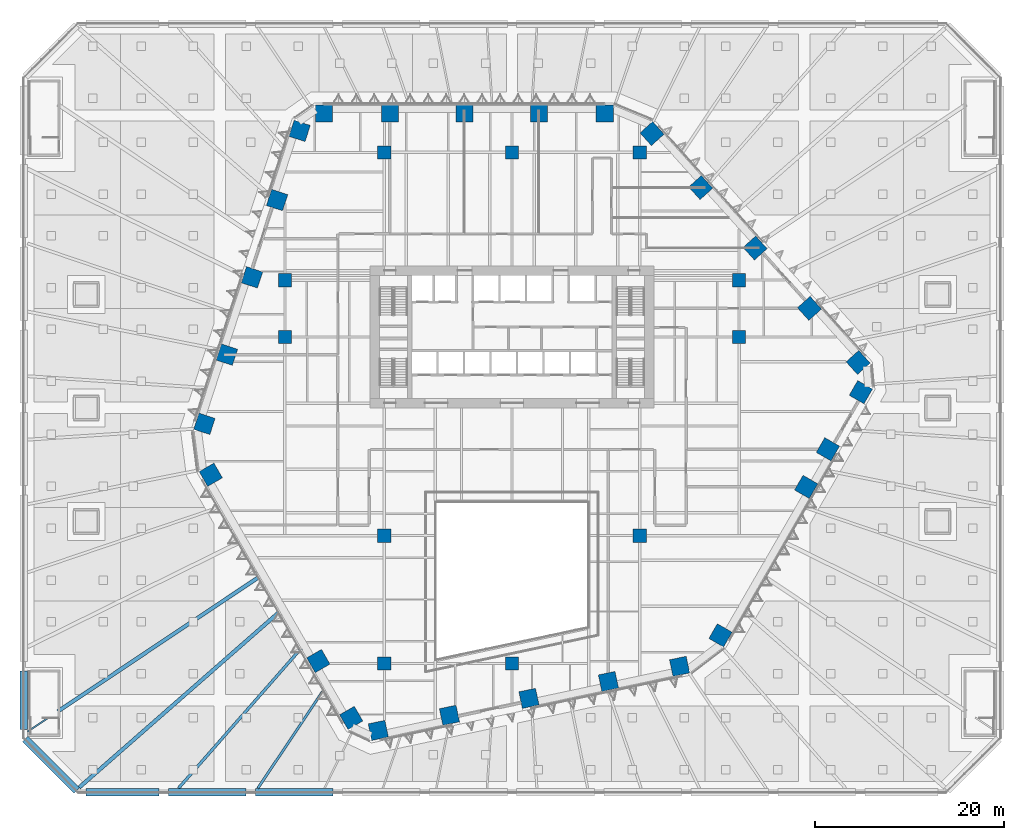
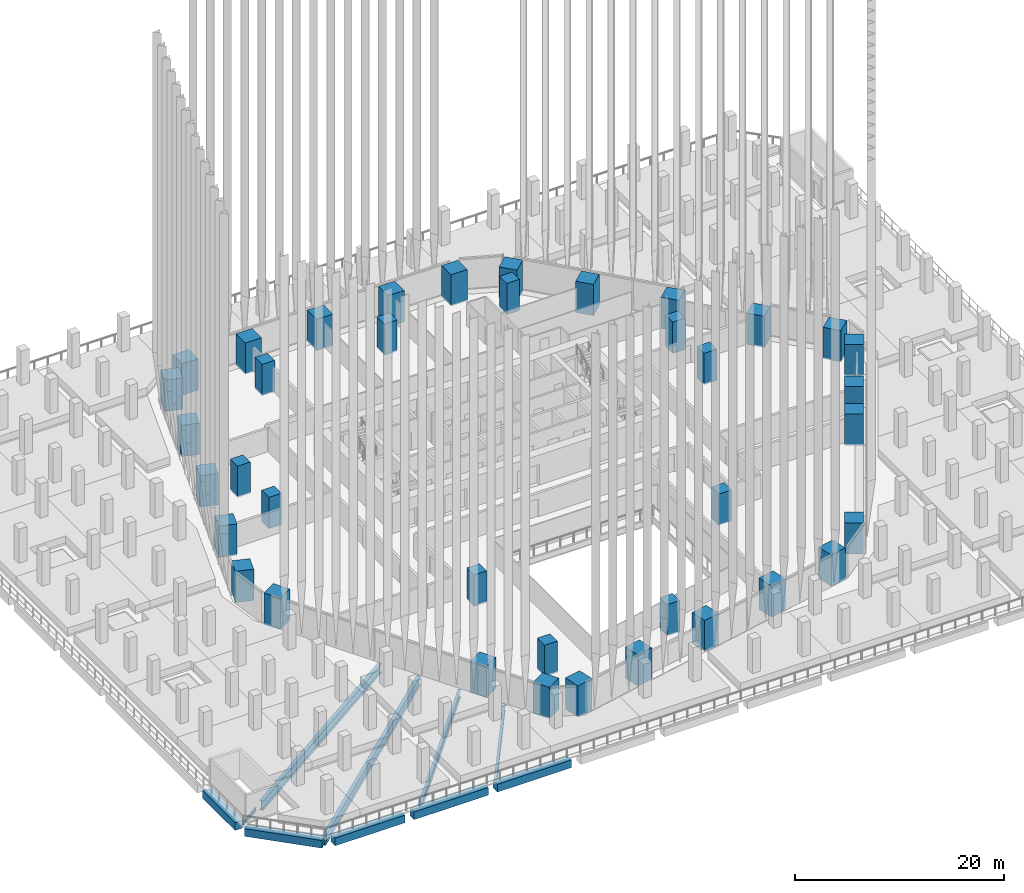
# One storey, part 1 of 51: 38 columns, 10 beams.
"""IFC4 building model written with IfcOpenShell, lengths in metres."""

import ifcopenshell
import ifcopenshell.guid

model = None  # the IFC model being written
_history = None  # IfcOwnerHistory: only IFC2X3 demands one
_inside = {}  # id of a spatial element -> (the spatial element, [elements in it])
_under = {}  # id of a project, library or spatial element -> (it, [spatial elements below it])
_declared = {}  # id of a project -> (the project, [libraries it declares])
_typed = {}  # id of a type object -> (the type object, [elements of that type])
_made_of = {}  # id of a material, layer set ... -> (it, [elements and type objects made of it])


def new_model(schema):
    """Start an empty IFC model of exactly this schema.

    Asked for "IFC4X3", IfcOpenShell would pick the latest addendum, in which some entities
    have other attributes; the version numbers below select the first issue.
    IFC2X3 requires an IfcOwnerHistory on every rooted entity: one is made here for all.
    """
    global model, _history
    if schema == "IFC4X3":
        model = ifcopenshell.file(schema_version=(4, 3, 0, 0))
    else:
        model = ifcopenshell.file(schema=schema)
    _inside.clear()
    _under.clear()
    _declared.clear()
    _typed.clear()
    _made_of.clear()
    _history = None
    if model.schema == "IFC2X3":
        org = make("IfcOrganization", Name="unknown")
        user = make(
            "IfcPersonAndOrganization",
            ThePerson=make("IfcPerson", FamilyName="unknown"),
            TheOrganization=org,
        )
        app = make(
            "IfcApplication",
            ApplicationDeveloper=org,
            Version="unknown",
            ApplicationFullName="unknown",
            ApplicationIdentifier="unknown",
        )
        _history = make(
            "IfcOwnerHistory",
            OwningUser=user,
            OwningApplication=app,
            ChangeAction="ADDED",
            CreationDate=0,
        )
    return model


def make(cls, **values):
    """One entity of the class cls with the attributes given. An attribute that is None is left unset."""
    return model.create_entity(
        cls, **{name: value for name, value in values.items() if value is not None}
    )


def rooted(cls, **values):
    """An entity with a GlobalId (a new one), such as an element, a storey or a relation."""
    return make(cls, GlobalId=ifcopenshell.guid.new(), OwnerHistory=_history, **values)


def si_unit(unit_type, name, prefix=None):
    """IfcSIUnit, for example si_unit("LENGTHUNIT", "METRE", prefix="MILLI")."""
    return make("IfcSIUnit", UnitType=unit_type, Prefix=prefix, Name=name)


def assignment(units):
    """IfcUnitAssignment: the units of a project."""
    return None if units is None else make("IfcUnitAssignment", Units=units)


def point(xyz):
    """IfcCartesianPoint."""
    return None if xyz is None else make("IfcCartesianPoint", Coordinates=xyz)


def direction(xyz):
    """IfcDirection."""
    return None if xyz is None else make("IfcDirection", DirectionRatios=xyz)


def frame(location, z_axis=None, x_axis=None):
    """IfcAxis2Placement3D, a coordinate frame: its origin and axes. An axis left out is left unset."""
    return make(
        "IfcAxis2Placement3D",
        Location=point(location),
        Axis=direction(z_axis),
        RefDirection=direction(x_axis),
    )


def frame_2d(location, x_axis=None):
    """IfcAxis2Placement2D, a coordinate frame in the plane: its origin and x axis."""
    return make(
        "IfcAxis2Placement2D", Location=point(location), RefDirection=direction(x_axis)
    )


def origin():
    """The frame at (0, 0, 0) with its axes left unset."""
    return frame((0.0, 0.0, 0.0))


def origin_2d():
    """The frame at (0, 0) in the plane with its x axis left unset."""
    return frame_2d((0.0, 0.0))


def place(relative_to, where):
    """IfcLocalPlacement: puts the frame where relative to a parent placement (None: the world)."""
    return make(
        "IfcLocalPlacement", PlacementRelTo=relative_to, RelativePlacement=where
    )


def context(
    kind, dimensions, precision=None, world=None, true_north=None, identifier=None
):
    """IfcGeometricRepresentationContext, for example the 3D "Model" context."""
    return make(
        "IfcGeometricRepresentationContext",
        ContextIdentifier=identifier,
        ContextType=kind,
        CoordinateSpaceDimension=dimensions,
        Precision=precision,
        WorldCoordinateSystem=world,
        TrueNorth=true_north,
    )


def subcontext(parent, identifier, kind, view, scale=None):
    """IfcGeometricRepresentationSubContext, for example "Body" below "Model"."""
    return make(
        "IfcGeometricRepresentationSubContext",
        ContextIdentifier=identifier,
        ContextType=kind,
        ParentContext=parent,
        TargetScale=scale,
        TargetView=view,
    )


def project(units=None, contexts=None):
    """IfcProject with its units and contexts."""
    return rooted(
        "IfcProject",
        Name="project",
        RepresentationContexts=contexts,
        UnitsInContext=assignment(units),
    )


def spatial(cls, under=None, at=None, **own):
    """A site, building, storey or space (cls), placed at a placement, below another one or the project."""
    s = rooted(cls, ObjectPlacement=at, **own)
    if under is not None:
        _under.setdefault(under.id(), (under, []))[1].append(s)
    return s


def profile(cls, at=None, kind="AREA", **sizes):
    """A parametric profile (cls). Its sizes go by their IFC names, for example OverallWidth=200.0."""
    return make(cls, ProfileType=kind, Position=at, **sizes)


def rectangle(**sizes):
    """IfcRectangleProfileDef."""
    return profile("IfcRectangleProfileDef", **sizes)


def i_section(**sizes):
    """IfcIShapeProfileDef."""
    return profile("IfcIShapeProfileDef", **sizes)


def extrude(swept, where, along, depth):
    """IfcExtrudedAreaSolid: the profile swept, set in the frame where, extruded along a direction by depth."""
    return make(
        "IfcExtrudedAreaSolid",
        SweptArea=swept,
        Position=where,
        ExtrudedDirection=direction(along),
        Depth=depth,
    )


def shape(context_of_items, identifier, shape_type, items):
    """IfcShapeRepresentation: the items that make up one representation, for example the "Body"."""
    return make(
        "IfcShapeRepresentation",
        ContextOfItems=context_of_items,
        RepresentationIdentifier=identifier,
        RepresentationType=shape_type,
        Items=items,
    )


def material(Name=None, Category=None):
    """IfcMaterial."""
    return make("IfcMaterial", Name=Name, Category=Category)


def material_profile(
    of_material, cross_section, Name=None, Category=None, Priority=None
):
    """IfcMaterialProfile: a cross section and its material."""
    return make(
        "IfcMaterialProfile",
        Name=Name,
        Material=of_material,
        Profile=cross_section,
        Priority=Priority,
        Category=Category,
    )


def profile_set(profiles, Name=None, composite=None):
    """IfcMaterialProfileSet."""
    return make(
        "IfcMaterialProfileSet",
        Name=Name,
        MaterialProfiles=profiles,
        CompositeProfile=composite,
    )


def made_of(thing, what):
    """Note that an element or type object is made of a material, layer set ...; save() writes the relation."""
    if what is not None:
        _made_of.setdefault(what.id(), (what, []))[1].append(thing)
    return thing


def type_object(cls, material=None, **own):
    """A type object (cls), such as IfcWallType, which elements share."""
    return made_of(rooted(cls, **own), material)


def element(
    cls,
    number,
    at=None,
    inside=None,
    cuts=None,
    type_object=None,
    material=None,
    context=None,
    identifier="Body",
    shape_type=None,
    held_by="IfcProductDefinitionShape",
    body=None,
    shapes=None,
    **own,
):
    """One element of the class cls, such as IfcWall. Its Tag is "e" and its number.

    at: its placement. inside: the storey or other place that contains it. cuts: it is an
    opening in that element (IfcRelVoidsElement). A single representation is given by context,
    identifier, shape_type and body (its items); several are given by shapes. held_by: the class
    of the entity that holds the representations. save() writes the other relations.
    """
    e = rooted(cls, Tag="e%d" % number, ObjectPlacement=at, **own)
    if body is not None:
        shapes = [shape(context, identifier, shape_type, body)]
    if shapes is not None:
        e.Representation = make(held_by, Representations=shapes)
    if inside is not None:
        _inside.setdefault(inside.id(), (inside, []))[1].append(e)
    if cuts is not None:
        rooted(
            "IfcRelVoidsElement", RelatingBuildingElement=cuts, RelatedOpeningElement=e
        )
    if type_object is not None:
        _typed.setdefault(type_object.id(), (type_object, []))[1].append(e)
    return made_of(e, material)


def aggregate(whole, parts):
    """IfcRelAggregates: a whole, such as a stair, and the parts it consists of."""
    return rooted("IfcRelAggregates", RelatingObject=whole, RelatedObjects=parts)


def save(model, path):
    """Write the relations noted so far, then the file.

    IfcRelAggregates (storeys below a building ...), IfcRelContainedInSpatialStructure (elements
    in a storey), IfcRelDefinesByType, IfcRelAssociatesMaterial and IfcRelDeclares: one each for
    every whole, place, type object, material and project.
    """
    for whole, parts in _under.values():
        aggregate(whole, parts)
    for where, things in _inside.values():
        rooted(
            "IfcRelContainedInSpatialStructure",
            RelatedElements=things,
            RelatingStructure=where,
        )
    for kind, things in _typed.values():
        rooted("IfcRelDefinesByType", RelatedObjects=things, RelatingType=kind)
    for what, things in _made_of.values():
        rooted("IfcRelAssociatesMaterial", RelatedObjects=things, RelatingMaterial=what)
    for by, libraries in _declared.values():
        rooted("IfcRelDeclares", RelatingContext=by, RelatedDefinitions=libraries)
    model.write(path)


model = new_model("IFC4")

# Units and contexts
model_context = context("Model", 3, precision=1e-05, world=origin(), true_north=direction((0.0, 1.0)))
body_context = subcontext(model_context, "Body", "Model", "MODEL_VIEW")
ifc_project = project(units=[si_unit("LENGTHUNIT", "METRE"), si_unit("AREAUNIT", "SQUARE_METRE"), si_unit("VOLUMEUNIT", "CUBIC_METRE"), si_unit("PLANEANGLEUNIT", "RADIAN"), si_unit("MASSUNIT", "GRAM", prefix="KILO")], contexts=[model_context])

# Site, building, storey
site_placement = place(None, origin())
site = spatial("IfcSite", under=ifc_project, at=site_placement, CompositionType="ELEMENT")
building_placement = place(site_placement, origin())
building = spatial("IfcBuilding", under=site, at=building_placement, Name="Isthmus Gate Tower", CompositionType="ELEMENT")
storey_placement = place(building_placement, frame((0.0, 0.0, 36.0)))
storey = spatial("IfcBuildingStorey", under=building, at=storey_placement, Name="L06", CompositionType="ELEMENT", Elevation=36.0)

# Columns
ifc_material_1 = material(Name="Concrete f'c 70 MPa", Category="concrete")
ifc_material_profile_1 = material_profile(ifc_material_1, rectangle(XDim=1.39990234375, YDim=1.39990234375, at=origin_2d()), Name="RC 1400X1400")
ifc_profile_set_1 = profile_set([ifc_material_profile_1], Name="Concrete f'c 70 MPa")
column_type_1 = type_object("IfcColumnType", Name="RC INTERIOR COLUMN 1400 X 1400", PredefinedType="COLUMN", material=ifc_profile_set_1)
for number, where, z_axis, x_axis, name in (
    (1, (-24.0, 7.5, -0.14990234375), (0.0, 0.0, 1.0), (1.0, 0.0, 0.0), "str-icol-L06-ICA3"),
    (2, (-24.0, 13.5, -0.14990234375), (0.0, 0.0, 1.0), (1.0, 0.0, 0.0), "str-icol-L06-ICA4"),
    (3, (-13.5, -27.0, -0.14990234375), (0.0, 0.0, 1.0), (1.0, 0.0, 0.0), "str-icol-L06-ICB1"),
    (4, (-13.5, -13.5, -0.14990234375), (0.0, 0.0, 1.0), (1.0, 0.0, 0.0), "str-icol-L06-ICB2"),
    (5, (-13.5, 27.0, -0.14990234375), (0.0, 0.0, 1.0), (1.0, 0.0, 0.0), "str-icol-L06-ICB5"),
    (6, (0.0, -27.0, -0.14990234375), (0.0, 0.0, 1.0), (1.0, 0.0, 0.0), "str-icol-L06-ICC1"),
    (7, (0.0, 27.0, -0.14990234375), (0.0, 0.0, 1.0), (1.0, 0.0, 0.0), "str-icol-L06-ICC5"),
    (8, (13.5, -13.5, -0.14990234375), (0.0, 0.0, 1.0), (1.0, 0.0, 0.0), "str-icol-L06-ICD2"),
    (9, (13.5, 27.0, -0.14990234375), (0.0, 0.0, 1.0), (1.0, 0.0, 0.0), "str-icol-L06-ICD5"),
    (10, (24.0, 7.5, -0.14990234375), (0.0, 0.0, 1.0), (1.0, 0.0, 0.0), "str-icol-L06-ICE3"),
    (11, (24.0, 13.5, -0.14990234375), (0.0, 0.0, 1.0), (1.0, 0.0, 0.0), "str-icol-L06-ICE4"),
):
    element("IfcColumn", number, at=place(storey_placement, frame(where, z_axis=z_axis, x_axis=x_axis)), inside=storey, type_object=column_type_1, Name=name, PredefinedType="COLUMN", context=body_context, shape_type="SweptSolid", body=[
        extrude(rectangle(XDim=1.39990234375, YDim=1.39990234375, at=origin_2d()), origin(), (0.0, 0.0, 1.0), 3.64990234375),
    ])
ifc_material_2 = material(Name="Concrete f'c 70 MPa", Category="concrete")
ifc_material_profile_2 = material_profile(ifc_material_2, rectangle(XDim=1.800048828125, YDim=1.800048828125, at=origin_2d()), Name="RC 1800X1800")
ifc_profile_set_2 = profile_set([ifc_material_profile_2], Name="Concrete f'c 70 MPa")
column_type_2 = type_object("IfcColumnType", Name="RC TUBE COLUMN 1800 X 1800", PredefinedType="COLUMN", material=ifc_profile_set_2)
for number, where, z_axis, x_axis, name in (
    (12, (9.8017578125, 31.10009765625, -0.14990234375), (0.0, 0.0, 1.0), (-1.0, 0.0, 0.0), "str-tcol-L06-T1N0"),
    (13, (2.832275390625, 31.10009765625, -0.14990234375), (0.0, 0.0, 1.0), (-1.0, 0.0, 0.0), "str-tcol-L06-T1N1"),
    (14, (-5.037109375, 31.10009765625, -0.14990234375), (0.0, 0.0, 1.0), (-1.0, 0.0, 0.0), "str-tcol-L06-T1N2"),
    (15, (-12.90673828125, 31.10009765625, -0.14990234375), (0.0, 0.0, 1.0), (-1.0, 0.0, 0.0), "str-tcol-L06-T1N3"),
    (16, (-19.876220703125, 31.10009765625, -0.14990234375), (0.0, 0.0, 1.0), (-1.0, 0.0, 0.0), "str-tcol-L06-T1N4"),
    (17, (-22.451171875, 29.281005859375, -0.14990234375), (0.0, 0.0, 1.0), (-0.309016994375, -0.951056516295, 0.0), "str-tcol-L06-T1NW0"),
    (18, (-24.827392578125, 21.9677734375, -0.14990234375), (0.0, 0.0, 1.0), (-0.309016994375, -0.951056516295, 0.0), "str-tcol-L06-T1NW1"),
    (19, (-27.481689453125, 13.798828125, -0.14990234375), (0.0, 0.0, 1.0), (-0.309016994375, -0.951056516295, 0.0), "str-tcol-L06-T1NW2"),
    (20, (-30.135986328125, 5.6298828125, -0.14990234375), (0.0, 0.0, 1.0), (-0.309016994375, -0.951056516295, 0.0), "str-tcol-L06-T1NW3"),
    (21, (-32.511962890625, -1.68310546875, -0.14990234375), (0.0, 0.0, 1.0), (-0.309016994375, -0.951056516295, 0.0), "str-tcol-L06-T1NW4"),
    (22, (-31.834228515625, -7.061279296875, -0.14990234375), (0.0, 0.0, 1.0), (0.5, -0.866025403784, 0.0), "str-tcol-L06-T1SW0"),
    (23, (-20.467041015625, -26.75, -0.14990234375), (0.0, 0.0, 1.0), (0.5, -0.866025403784, 0.0), "str-tcol-L06-T1SW2"),
    (24, (-16.995361328125, -32.763427734375, -0.14990234375), (0.0, 0.0, 1.0), (0.5, -0.866025403784, 0.0), "str-tcol-L06-T1SW3"),
    (25, (-14.13232421875, -34.083740234375, -0.14990234375), (0.0, 0.0, 1.0), (0.978147600734, 0.207911690818, 0.0), "str-tcol-L06-T1S0"),
    (26, (-6.611083984375, -32.485107421875, -0.14990234375), (0.0, 0.0, 1.0), (0.978147600734, 0.207911690818, 0.0), "str-tcol-L06-T1S1"),
    (27, (1.79052734375, -30.69921875, -0.14990234375), (0.0, 0.0, 1.0), (0.978147600734, 0.207911690818, 0.0), "str-tcol-L06-T1S2"),
    (28, (10.192138671875, -28.91357421875, -0.14990234375), (0.0, 0.0, 1.0), (0.978147600734, 0.207911690818, 0.0), "str-tcol-L06-T1S3"),
    (29, (17.713623046875, -27.314697265625, -0.14990234375), (0.0, 0.0, 1.0), (0.978147600734, 0.207911690818, 0.0), "str-tcol-L06-T1S4"),
    (30, (22.032470703125, -24.03857421875, -0.14990234375), (0.0, 0.0, 1.0), (0.5, 0.866025403784, 0.0), "str-tcol-L06-T1SE0"),
    (31, (31.09033203125, -8.35009765625, -0.14990234375), (0.0, 0.0, 1.0), (0.5, 0.866025403784, 0.0), "str-tcol-L06-T1SE1"),
    (32, (33.38671875, -4.37255859375, -0.14990234375), (0.0, 0.0, 1.0), (0.5, 0.866025403784, 0.0), "str-tcol-L06-T1SE2"),
    (33, (36.87158203125, 1.663330078125, -0.14990234375), (0.0, 0.0, 1.0), (0.5, 0.866025403784, 0.0), "str-tcol-L06-T1SE3"),
    (34, (36.583740234375, 4.802978515625, -0.14990234375), (0.0, 0.0, 1.0), (-0.669130606359, 0.743144825477, 0.0), "str-tcol-L06-T1NE0"),
    (35, (31.4384765625, 10.517333984375, -0.14990234375), (0.0, 0.0, 1.0), (-0.669130606359, 0.743144825477, 0.0), "str-tcol-L06-T1NE1"),
    (36, (25.691162109375, 16.900390625, -0.14990234375), (0.0, 0.0, 1.0), (-0.669130606359, 0.743144825477, 0.0), "str-tcol-L06-T1NE2"),
    (37, (19.943603515625, 23.283447265625, -0.14990234375), (0.0, 0.0, 1.0), (-0.669130606359, 0.743144825477, 0.0), "str-tcol-L06-T1NE3"),
    (38, (14.798583984375, 28.997802734375, -0.14990234375), (0.0, 0.0, 1.0), (-0.669130606359, 0.743144825477, 0.0), "str-tcol-L06-T1NE4"),
):
    element("IfcColumn", number, at=place(storey_placement, frame(where, z_axis=z_axis, x_axis=x_axis)), inside=storey, type_object=column_type_2, Name=name, PredefinedType="COLUMN", context=body_context, shape_type="SweptSolid", body=[
        extrude(rectangle(XDim=1.800048828125, YDim=1.800048828125, at=origin_2d()), origin(), (0.0, 0.0, 1.0), 3.64990234375),
    ])

# Beams
ifc_material_3 = material(Name="Concrete f'c 70 MPa", Category="concrete")
ifc_material_profile_3 = material_profile(ifc_material_3, rectangle(XDim=0.800048828125, YDim=0.89990234375, at=origin_2d()), Name="RC 800X900")
ifc_profile_set_3 = profile_set([ifc_material_profile_3], Name="Concrete f'c 70 MPa")
beam_type_1 = type_object("IfcBeamType", Name="RC EDGE BEAM 800 X 900", PredefinedType="BEAM", material=ifc_profile_set_3)
beam_1_placement = place(storey_placement, frame((-46.0, -40.434326171875, -0.60009765625), z_axis=(-0.707106781187, 0.707106781187, 0.0), x_axis=(-0.707106781187, -0.707106781187, 0.0)))
element("IfcBeam", 39, at=beam_1_placement, inside=storey, type_object=beam_type_1, Name="str-edgebeam-L06-00", PredefinedType="BEAM", context=body_context, shape_type="SweptSolid", body=[
    extrude(rectangle(XDim=0.800048828125, YDim=0.89990234375, at=origin_2d()), origin(), (0.0, 0.0, 1.0), 7.685302734375),
])
beam_2_placement = place(storey_placement, frame((-51.60009765625, -34.0, -0.60009765625), z_axis=(0.0, 1.0, 0.0), x_axis=(-1.0, 0.0, 0.0)))
element("IfcBeam", 40, at=beam_2_placement, inside=storey, type_object=beam_type_1, Name="str-edgebeam-L06-01", PredefinedType="BEAM", context=body_context, shape_type="SweptSolid", body=[
    extrude(rectangle(XDim=0.800048828125, YDim=0.89990234375, at=origin_2d()), origin(), (0.0, 0.0, 1.0), 6.199951171875),
])
beam_3_placement = place(storey_placement, frame((-18.89990234375, -40.60009765625, -0.60009765625), z_axis=(-1.0, 0.0, 0.0), x_axis=(0.0, -1.0, 0.0)))
element("IfcBeam", 41, at=beam_3_placement, inside=storey, type_object=beam_type_1, Name="str-edgebeam-L06-35", PredefinedType="BEAM", context=body_context, shape_type="SweptSolid", body=[
    extrude(rectangle(XDim=0.800048828125, YDim=0.89990234375, at=origin_2d()), origin(), (0.0, 0.0, 1.0), 8.2001953125),
])
beam_4_placement = place(storey_placement, frame((-28.10009765625, -40.60009765625, -0.60009765625), z_axis=(-1.0, 0.0, 0.0), x_axis=(0.0, -1.0, 0.0)))
element("IfcBeam", 42, at=beam_4_placement, inside=storey, type_object=beam_type_1, Name="str-edgebeam-L06-36", PredefinedType="BEAM", context=body_context, shape_type="SweptSolid", body=[
    extrude(rectangle(XDim=0.800048828125, YDim=0.89990234375, at=origin_2d()), origin(), (0.0, 0.0, 1.0), 8.199951171875),
])
beam_5_placement = place(storey_placement, frame((-37.300048828125, -40.60009765625, -0.60009765625), z_axis=(-1.0, 0.0, 0.0), x_axis=(0.0, -1.0, 0.0)))
element("IfcBeam", 43, at=beam_5_placement, inside=storey, type_object=beam_type_1, Name="str-edgebeam-L06-37", PredefinedType="BEAM", context=body_context, shape_type="SweptSolid", body=[
    extrude(rectangle(XDim=0.800048828125, YDim=0.89990234375, at=origin_2d()), origin(), (0.0, 0.0, 1.0), 7.699951171875),
])
ifc_material_4 = material(Name="Structural steel ASTM A992 Gr 50", Category="steel")
ifc_material_profile_4 = material_profile(ifc_material_4, i_section(OverallWidth=0.1396484375, OverallDepth=0.4033203125, WebThickness=0.00634765625, FlangeThickness=0.010986328125, at=origin_2d()), Name="W16X31")
ifc_profile_set_4 = profile_set([ifc_material_profile_4], Name="Structural steel ASTM A992 Gr 50")
beam_type_2 = type_object("IfcBeamType", Name="STEEL LEDGE BEAM W16X31", PredefinedType="JOIST", material=ifc_profile_set_4)
beam_6_placement = place(storey_placement, frame((-48.976318359375, -32.72509765625, -0.3515625), z_axis=(-0.831502127043, -0.555521568188, 0.0), x_axis=(0.555521568188, -0.831502127043, 0.0)))
element("IfcBeam", 44, at=beam_6_placement, inside=storey, type_object=beam_type_2, Name="str-ringbeam-L06-00-29", PredefinedType="JOIST", context=body_context, shape_type="SweptSolid", body=[
    extrude(i_section(OverallWidth=0.1396484375, OverallDepth=0.4033203125, WebThickness=0.00634765625, FlangeThickness=0.010986328125, at=origin_2d()), origin(), (0.0, 0.0, 1.0), 2.67431640625),
])
ifc_material_5 = material(Name="Structural steel ASTM A992 Gr 50", Category="steel")
ifc_material_profile_5 = material_profile(ifc_material_5, i_section(OverallWidth=0.263427734375, OverallDepth=0.749267578125, WebThickness=0.0126953125, FlangeThickness=0.015869140625, at=origin_2d()), Name="W30X90")
ifc_profile_set_5 = profile_set([ifc_material_profile_5], Name="Structural steel ASTM A992 Gr 50")
beam_type_3 = type_object("IfcBeamType", Name="STEEL LEDGE BEAM W30X90", PredefinedType="JOIST", material=ifc_profile_set_5)
beam_7_placement = place(storey_placement, frame((-19.822509765625, -29.66650390625, -0.524658203125), z_axis=(-0.55557599749, -0.831465760578, 0.0), x_axis=(0.831465760578, -0.55557599749, 0.0)))
element("IfcBeam", 45, at=beam_7_placement, inside=storey, type_object=beam_type_3, Name="str-ringbeam-L06-00-32", PredefinedType="JOIST", context=body_context, shape_type="SweptSolid", body=[
    extrude(i_section(OverallWidth=0.263427734375, OverallDepth=0.749267578125, WebThickness=0.0126953125, FlangeThickness=0.015869140625, at=origin_2d()), origin(), (0.0, 0.0, 1.0), 12.66845703125),
])
ifc_material_6 = material(Name="Structural steel ASTM A992 Gr 50", Category="steel")
ifc_material_profile_6 = material_profile(ifc_material_6, i_section(OverallWidth=0.3046875, OverallDepth=0.914306640625, WebThickness=0.015869140625, FlangeThickness=0.025390625, at=origin_2d()), Name="W36X160")
ifc_profile_set_6 = profile_set([ifc_material_profile_6], Name="Structural steel ASTM A992 Gr 50")
beam_type_4 = type_object("IfcBeamType", Name="STEEL LEDGE BEAM W36X160", PredefinedType="JOIST", material=ifc_profile_set_6)
beam_8_placement = place(storey_placement, frame((-22.281494140625, -25.4072265625, -0.607177734375), z_axis=(-0.659346650686, -0.751839074689, 0.0), x_axis=(0.751839074689, -0.659346650686, 0.0)))
element("IfcBeam", 46, at=beam_8_placement, inside=storey, type_object=beam_type_4, Name="str-ringbeam-L06-00-31", PredefinedType="JOIST", context=body_context, shape_type="SweptSolid", body=[
    extrude(i_section(OverallWidth=0.3046875, OverallDepth=0.914306640625, WebThickness=0.015869140625, FlangeThickness=0.025390625, at=origin_2d()), origin(), (0.0, 0.0, 1.0), 19.67529296875),
])
ifc_material_7 = material(Name="Structural steel ASTM A992 Gr 50", Category="steel")
ifc_material_profile_7 = material_profile(ifc_material_7, i_section(OverallWidth=0.39990234375, OverallDepth=1.089111328125, WebThickness=0.017578125, FlangeThickness=0.03173828125, at=origin_2d()), Name="W44X230")
ifc_profile_set_7 = profile_set([ifc_material_profile_7], Name="Structural steel ASTM A992 Gr 50")
beam_type_5 = type_object("IfcBeamType", Name="STEEL LEDGE BEAM W44X230", PredefinedType="JOIST", material=ifc_profile_set_7)
beam_9_placement = place(storey_placement, frame((-26.6640625, -17.81640625, -0.694580078125), z_axis=(-0.83147166708, -0.555567157815, 0.0), x_axis=(0.555567157815, -0.83147166708, 0.0)))
element("IfcBeam", 47, at=beam_9_placement, inside=storey, type_object=beam_type_5, Name="str-ringbeam-L06-00-28", PredefinedType="JOIST", context=body_context, shape_type="SweptSolid", body=[
    extrude(i_section(OverallWidth=0.39990234375, OverallDepth=1.089111328125, WebThickness=0.017578125, FlangeThickness=0.03173828125, at=origin_2d()), origin(), (0.0, 0.0, 1.0), 25.660400390625),
])
beam_10_placement = place(storey_placement, frame((-24.5302734375, -21.512451171875, -0.694580078125), z_axis=(-0.751836151258, -0.659349984197, 0.0), x_axis=(0.659349984197, -0.751836151258, 0.0)))
element("IfcBeam", 48, at=beam_10_placement, inside=storey, type_object=beam_type_5, Name="str-ringbeam-L06-00-30", PredefinedType="JOIST", context=body_context, shape_type="SweptSolid", body=[
    extrude(i_section(OverallWidth=0.39990234375, OverallDepth=1.089111328125, WebThickness=0.017578125, FlangeThickness=0.03173828125, at=origin_2d()), origin(), (0.0, 0.0, 1.0), 28.2216796875),
])

save(model, "model.ifc")
